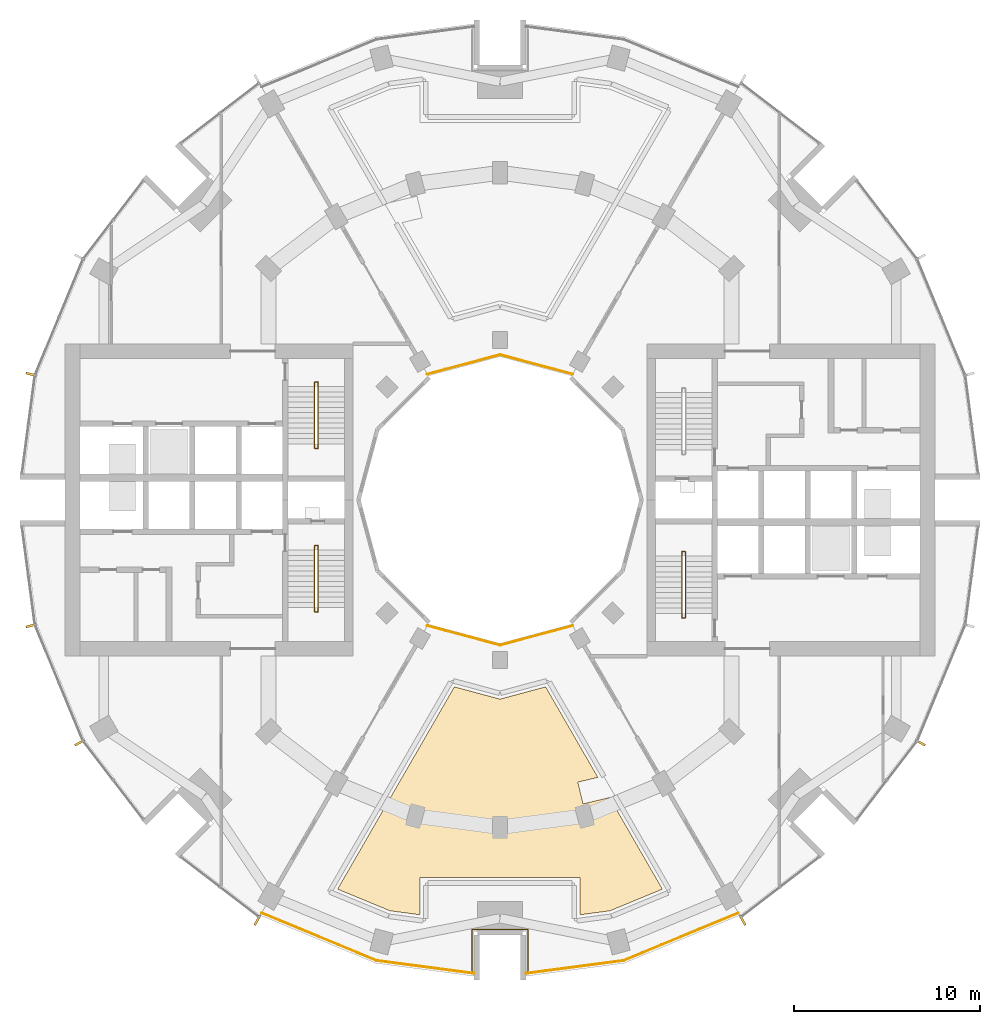
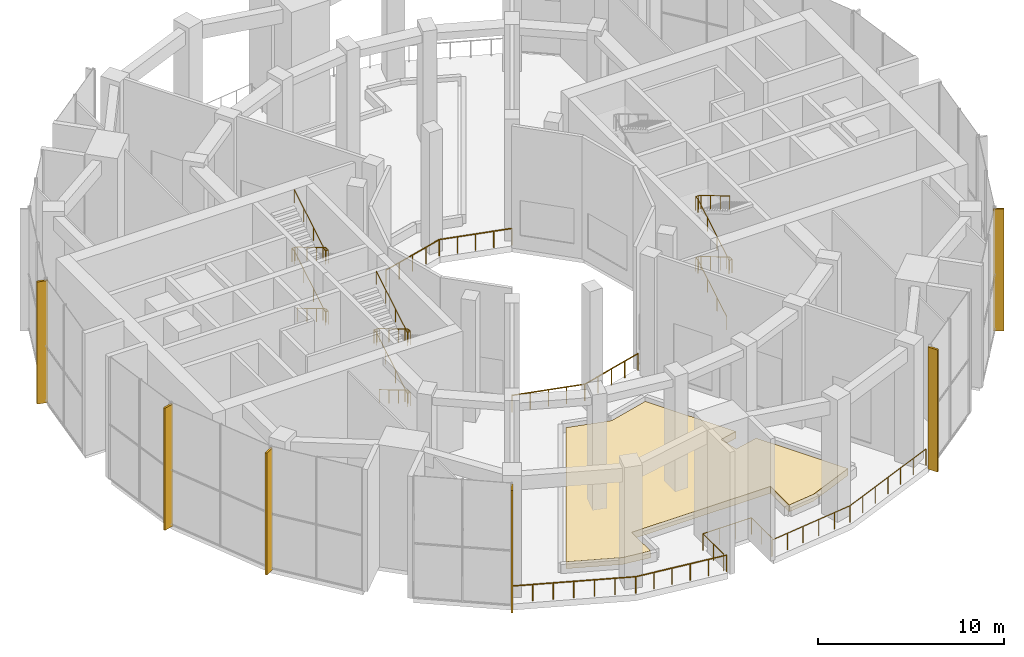
# One storey, part 16 of 18: 8 railings, 6 shading devices, 1 covering.
"""IFC4 building model written with IfcOpenShell, lengths in metres."""

import ifcopenshell
import ifcopenshell.guid

model = None  # the IFC model being written
_history = None  # IfcOwnerHistory: only IFC2X3 demands one
_inside = {}  # id of a spatial element -> (the spatial element, [elements in it])
_under = {}  # id of a project, library or spatial element -> (it, [spatial elements below it])
_declared = {}  # id of a project -> (the project, [libraries it declares])
_typed = {}  # id of a type object -> (the type object, [elements of that type])
_made_of = {}  # id of a material, layer set ... -> (it, [elements and type objects made of it])


def new_model(schema):
    """Start an empty IFC model of exactly this schema.

    Asked for "IFC4X3", IfcOpenShell would pick the latest addendum, in which some entities
    have other attributes; the version numbers below select the first issue.
    IFC2X3 requires an IfcOwnerHistory on every rooted entity: one is made here for all.
    """
    global model, _history
    if schema == "IFC4X3":
        model = ifcopenshell.file(schema_version=(4, 3, 0, 0))
    else:
        model = ifcopenshell.file(schema=schema)
    _inside.clear()
    _under.clear()
    _declared.clear()
    _typed.clear()
    _made_of.clear()
    _history = None
    if model.schema == "IFC2X3":
        org = make("IfcOrganization", Name="unknown")
        user = make(
            "IfcPersonAndOrganization",
            ThePerson=make("IfcPerson", FamilyName="unknown"),
            TheOrganization=org,
        )
        app = make(
            "IfcApplication",
            ApplicationDeveloper=org,
            Version="unknown",
            ApplicationFullName="unknown",
            ApplicationIdentifier="unknown",
        )
        _history = make(
            "IfcOwnerHistory",
            OwningUser=user,
            OwningApplication=app,
            ChangeAction="ADDED",
            CreationDate=0,
        )
    return model


def make(cls, **values):
    """One entity of the class cls with the attributes given. An attribute that is None is left unset."""
    return model.create_entity(
        cls, **{name: value for name, value in values.items() if value is not None}
    )


def rooted(cls, **values):
    """An entity with a GlobalId (a new one), such as an element, a storey or a relation."""
    return make(cls, GlobalId=ifcopenshell.guid.new(), OwnerHistory=_history, **values)


def si_unit(unit_type, name, prefix=None):
    """IfcSIUnit, for example si_unit("LENGTHUNIT", "METRE", prefix="MILLI")."""
    return make("IfcSIUnit", UnitType=unit_type, Prefix=prefix, Name=name)


def assignment(units):
    """IfcUnitAssignment: the units of a project."""
    return None if units is None else make("IfcUnitAssignment", Units=units)


def point(xyz):
    """IfcCartesianPoint."""
    return None if xyz is None else make("IfcCartesianPoint", Coordinates=xyz)


def direction(xyz):
    """IfcDirection."""
    return None if xyz is None else make("IfcDirection", DirectionRatios=xyz)


def frame(location, z_axis=None, x_axis=None):
    """IfcAxis2Placement3D, a coordinate frame: its origin and axes. An axis left out is left unset."""
    return make(
        "IfcAxis2Placement3D",
        Location=point(location),
        Axis=direction(z_axis),
        RefDirection=direction(x_axis),
    )


def frame_2d(location, x_axis=None):
    """IfcAxis2Placement2D, a coordinate frame in the plane: its origin and x axis."""
    return make(
        "IfcAxis2Placement2D", Location=point(location), RefDirection=direction(x_axis)
    )


def origin():
    """The frame at (0, 0, 0) with its axes left unset."""
    return frame((0.0, 0.0, 0.0))


def origin_2d():
    """The frame at (0, 0) in the plane with its x axis left unset."""
    return frame_2d((0.0, 0.0))


def place(relative_to, where):
    """IfcLocalPlacement: puts the frame where relative to a parent placement (None: the world)."""
    return make(
        "IfcLocalPlacement", PlacementRelTo=relative_to, RelativePlacement=where
    )


def context(
    kind, dimensions, precision=None, world=None, true_north=None, identifier=None
):
    """IfcGeometricRepresentationContext, for example the 3D "Model" context."""
    return make(
        "IfcGeometricRepresentationContext",
        ContextIdentifier=identifier,
        ContextType=kind,
        CoordinateSpaceDimension=dimensions,
        Precision=precision,
        WorldCoordinateSystem=world,
        TrueNorth=true_north,
    )


def subcontext(parent, identifier, kind, view, scale=None):
    """IfcGeometricRepresentationSubContext, for example "Body" below "Model"."""
    return make(
        "IfcGeometricRepresentationSubContext",
        ContextIdentifier=identifier,
        ContextType=kind,
        ParentContext=parent,
        TargetScale=scale,
        TargetView=view,
    )


def project(units=None, contexts=None):
    """IfcProject with its units and contexts."""
    return rooted(
        "IfcProject",
        Name="project",
        RepresentationContexts=contexts,
        UnitsInContext=assignment(units),
    )


def spatial(cls, under=None, at=None, **own):
    """A site, building, storey or space (cls), placed at a placement, below another one or the project."""
    s = rooted(cls, ObjectPlacement=at, **own)
    if under is not None:
        _under.setdefault(under.id(), (under, []))[1].append(s)
    return s


def polyline(points):
    """IfcPolyline through the points."""
    return make("IfcPolyline", Points=[point(p) for p in points])


def profile(cls, at=None, kind="AREA", **sizes):
    """A parametric profile (cls). Its sizes go by their IFC names, for example OverallWidth=200.0."""
    return make(cls, ProfileType=kind, Position=at, **sizes)


def rectangle(**sizes):
    """IfcRectangleProfileDef."""
    return profile("IfcRectangleProfileDef", **sizes)


def circle(**sizes):
    """IfcCircleProfileDef."""
    return profile("IfcCircleProfileDef", **sizes)


def outline(outer, holes=None, kind="AREA"):
    """IfcArbitraryClosedProfileDef: a profile drawn as a closed curve; with holes, ...WithVoids."""
    if holes is None:
        return make("IfcArbitraryClosedProfileDef", ProfileType=kind, OuterCurve=outer)
    return make(
        "IfcArbitraryProfileDefWithVoids",
        ProfileType=kind,
        OuterCurve=outer,
        InnerCurves=holes,
    )


def extrude(swept, where, along, depth):
    """IfcExtrudedAreaSolid: the profile swept, set in the frame where, extruded along a direction by depth."""
    return make(
        "IfcExtrudedAreaSolid",
        SweptArea=swept,
        Position=where,
        ExtrudedDirection=direction(along),
        Depth=depth,
    )


def shape(context_of_items, identifier, shape_type, items):
    """IfcShapeRepresentation: the items that make up one representation, for example the "Body"."""
    return make(
        "IfcShapeRepresentation",
        ContextOfItems=context_of_items,
        RepresentationIdentifier=identifier,
        RepresentationType=shape_type,
        Items=items,
    )


def material(Name=None, Category=None):
    """IfcMaterial."""
    return make("IfcMaterial", Name=Name, Category=Category)


def layer(
    of_material, thickness, ventilated=None, Name=None, Category=None, Priority=None
):
    """IfcMaterialLayer: one layer of a wall or slab, of a material (None: an air gap)."""
    return make(
        "IfcMaterialLayer",
        Material=of_material,
        LayerThickness=thickness,
        IsVentilated=ventilated,
        Name=Name,
        Category=Category,
        Priority=Priority,
    )


def layer_set(layers, Name=None):
    """IfcMaterialLayerSet."""
    return make("IfcMaterialLayerSet", MaterialLayers=layers, LayerSetName=Name)


def material_profile(
    of_material, cross_section, Name=None, Category=None, Priority=None
):
    """IfcMaterialProfile: a cross section and its material."""
    return make(
        "IfcMaterialProfile",
        Name=Name,
        Material=of_material,
        Profile=cross_section,
        Priority=Priority,
        Category=Category,
    )


def profile_set(profiles, Name=None, composite=None):
    """IfcMaterialProfileSet."""
    return make(
        "IfcMaterialProfileSet",
        Name=Name,
        MaterialProfiles=profiles,
        CompositeProfile=composite,
    )


def made_of(thing, what):
    """Note that an element or type object is made of a material, layer set ...; save() writes the relation."""
    if what is not None:
        _made_of.setdefault(what.id(), (what, []))[1].append(thing)
    return thing


def type_object(cls, material=None, **own):
    """A type object (cls), such as IfcWallType, which elements share."""
    return made_of(rooted(cls, **own), material)


def element(
    cls,
    number,
    at=None,
    inside=None,
    cuts=None,
    type_object=None,
    material=None,
    context=None,
    identifier="Body",
    shape_type=None,
    held_by="IfcProductDefinitionShape",
    body=None,
    shapes=None,
    **own,
):
    """One element of the class cls, such as IfcWall. Its Tag is "e" and its number.

    at: its placement. inside: the storey or other place that contains it. cuts: it is an
    opening in that element (IfcRelVoidsElement). A single representation is given by context,
    identifier, shape_type and body (its items); several are given by shapes. held_by: the class
    of the entity that holds the representations. save() writes the other relations.
    """
    e = rooted(cls, Tag="e%d" % number, ObjectPlacement=at, **own)
    if body is not None:
        shapes = [shape(context, identifier, shape_type, body)]
    if shapes is not None:
        e.Representation = make(held_by, Representations=shapes)
    if inside is not None:
        _inside.setdefault(inside.id(), (inside, []))[1].append(e)
    if cuts is not None:
        rooted(
            "IfcRelVoidsElement", RelatingBuildingElement=cuts, RelatedOpeningElement=e
        )
    if type_object is not None:
        _typed.setdefault(type_object.id(), (type_object, []))[1].append(e)
    return made_of(e, material)


def aggregate(whole, parts):
    """IfcRelAggregates: a whole, such as a stair, and the parts it consists of."""
    return rooted("IfcRelAggregates", RelatingObject=whole, RelatedObjects=parts)


def save(model, path):
    """Write the relations noted so far, then the file.

    IfcRelAggregates (storeys below a building ...), IfcRelContainedInSpatialStructure (elements
    in a storey), IfcRelDefinesByType, IfcRelAssociatesMaterial and IfcRelDeclares: one each for
    every whole, place, type object, material and project.
    """
    for whole, parts in _under.values():
        aggregate(whole, parts)
    for where, things in _inside.values():
        rooted(
            "IfcRelContainedInSpatialStructure",
            RelatedElements=things,
            RelatingStructure=where,
        )
    for kind, things in _typed.values():
        rooted("IfcRelDefinesByType", RelatedObjects=things, RelatingType=kind)
    for what, things in _made_of.values():
        rooted("IfcRelAssociatesMaterial", RelatedObjects=things, RelatingMaterial=what)
    for by, libraries in _declared.values():
        rooted("IfcRelDeclares", RelatingContext=by, RelatedDefinitions=libraries)
    model.write(path)


model = new_model("IFC4")

# Units and contexts
model_context = context("Model", 3, precision=1e-05, world=origin(), true_north=direction((0.0, 1.0)))
body_context = subcontext(model_context, "Body", "Model", "MODEL_VIEW")
ifc_project = project(units=[si_unit("LENGTHUNIT", "METRE"), si_unit("AREAUNIT", "SQUARE_METRE"), si_unit("VOLUMEUNIT", "CUBIC_METRE"), si_unit("PLANEANGLEUNIT", "RADIAN"), si_unit("MASSUNIT", "GRAM", prefix="KILO")], contexts=[model_context])

# Site, building, storey
site_placement = place(None, origin())
site = spatial("IfcSite", under=ifc_project, at=site_placement, CompositionType="ELEMENT")
building_placement = place(site_placement, origin())
building = spatial("IfcBuilding", under=site, at=building_placement, Name="Torre Brocal", CompositionType="ELEMENT")
storey_placement = place(building_placement, frame((0.0, 0.0, 74.39990234375)))
storey = spatial("IfcBuildingStorey", under=building, at=storey_placement, Name="L17", CompositionType="ELEMENT", Elevation=74.39990234375)

# Shading devices
ifc_material_1 = material(Name="Aluminium, black anodised", Category="aluminium")
ifc_material_profile = material_profile(ifc_material_1, rectangle(XDim=0.1201171875, YDim=0.60009765625, at=origin_2d()), Name="FIN 120X600 8000 HIGH")
ifc_profile_set = profile_set([ifc_material_profile], Name="Aluminium, black anodised")
shading_device_type = type_object("IfcShadingDeviceType", Name="FIN 120X600 8000 HIGH", PredefinedType="USERDEFINED", material=ifc_profile_set)
for number, where, z_axis, x_axis, name in (
    (1, (54.791015625, 81.754638671875, -0.14990234375), (0.0, 0.0, 1.0), (-0.258819045103, -0.965925826289, 0.0), "FIN"),
    (2, (54.791015625, 68.245361328125, -0.14990234375), (0.0, 0.0, 1.0), (0.258819045103, -0.965925826289, 0.0), "FIN"),
    (3, (57.398193359375, 61.950927734375, -0.14990234375), (0.0, 0.0, 1.0), (0.5, -0.866025403784, 0.0), "FIN"),
    (4, (66.950927734375, 52.398193359375, -0.14990234375), (0.0, 0.0, 1.0), (0.866025403784, -0.5, 0.0), "FIN"),
    (5, (93.049072265625, 52.398193359375, -0.14990234375), (0.0, 0.0, 1.0), (0.866025403784, 0.5, 0.0), "FIN"),
    (6, (102.601806640625, 61.950927734375, -0.14990234375), (0.0, 0.0, 1.0), (0.5, 0.866025403784, 0.0), "FIN"),
):
    element("IfcShadingDevice", number, at=place(storey_placement, frame(where, z_axis=z_axis, x_axis=x_axis)), inside=storey, type_object=shading_device_type, Name=name, ObjectType="FIN", PredefinedType="USERDEFINED", context=body_context, shape_type="SweptSolid", body=[
        extrude(rectangle(XDim=0.1201171875, YDim=0.60009765625, at=origin_2d()), origin(), (0.0, 0.0, 1.0), 8.0),
    ])

# Railings
ifc_material_2 = material(Name="Laminated glass", Category="glass")
railing_type_1 = type_object("IfcRailingType", Name="GLASS BALUSTRADE 1100", PredefinedType="BALUSTRADE", material=ifc_material_2)
railing_1_placement = place(storey_placement, frame((83.9052734375, 81.76416015625, 0.0)))
element("IfcRailing", 7, at=railing_1_placement, inside=storey, type_object=railing_type_1, Name="GLASS BALUSTRADE", PredefinedType="BALUSTRADE", context=body_context, shape_type="SweptSolid", body=[
    extrude(circle(Radius=0.02392578125, at=origin_2d()), frame((0.0, 0.0, 1.076171875), z_axis=(-0.965927566611, 0.258812550044, 0.0), x_axis=(-0.258812550044, -0.965927566611, 0.0)), (0.0, 0.0, 1.0), 4.04296875),
    extrude(circle(Radius=0.02392578125, at=origin_2d()), frame((-3.9052734375, 1.04638671875, 1.076171875), z_axis=(-0.965927566611, -0.258812550044, 0.0), x_axis=(0.258812550044, -0.965927566611, 0.0)), (0.0, 0.0, 1.0), 4.04296875),
    extrude(circle(Radius=0.02099609375, at=origin_2d()), origin(), (0.0, 0.0, 1.0), 1.052001953125),
    extrude(circle(Radius=0.02099609375, at=origin_2d()), frame((-0.976318359375, 0.26171875, 0.0)), (0.0, 0.0, 1.0), 1.052001953125),
    extrude(circle(Radius=0.02099609375, at=origin_2d()), frame((-1.95263671875, 0.523193359375, 0.0)), (0.0, 0.0, 1.0), 1.052001953125),
    extrude(circle(Radius=0.02099609375, at=origin_2d()), frame((-2.928955078125, 0.78466796875, 0.0)), (0.0, 0.0, 1.0), 1.052001953125),
    extrude(circle(Radius=0.02099609375, at=origin_2d()), frame((-3.9052734375, 1.04638671875, 0.0)), (0.0, 0.0, 1.0), 1.052001953125),
    extrude(circle(Radius=0.02099609375, at=origin_2d()), frame((-4.881591796875, 0.78466796875, 0.0)), (0.0, 0.0, 1.0), 1.052001953125),
    extrude(circle(Radius=0.02099609375, at=origin_2d()), frame((-5.85791015625, 0.523193359375, 0.0)), (0.0, 0.0, 1.0), 1.052001953125),
    extrude(circle(Radius=0.02099609375, at=origin_2d()), frame((-6.834228515625, 0.26171875, 0.0)), (0.0, 0.0, 1.0), 1.052001953125),
    extrude(circle(Radius=0.02099609375, at=origin_2d()), frame((-7.810546875, 0.0, 0.0)), (0.0, 0.0, 1.0), 1.052001953125),
])
railing_2_placement = place(storey_placement, frame((76.0947265625, 68.23583984375, 0.0)))
element("IfcRailing", 8, at=railing_2_placement, inside=storey, type_object=railing_type_1, Name="GLASS BALUSTRADE", PredefinedType="BALUSTRADE", context=body_context, shape_type="SweptSolid", body=[
    extrude(circle(Radius=0.02392578125, at=origin_2d()), frame((0.0, 0.0, 1.076171875), z_axis=(0.965927566611, -0.258812550044, 0.0), x_axis=(0.258812550044, 0.965927566611, 0.0)), (0.0, 0.0, 1.0), 4.04296875),
    extrude(circle(Radius=0.02392578125, at=origin_2d()), frame((3.9052734375, -1.04638671875, 1.076171875), z_axis=(0.965927566611, 0.258812550044, 0.0), x_axis=(-0.258812550044, 0.965927566611, 0.0)), (0.0, 0.0, 1.0), 4.04296875),
    extrude(circle(Radius=0.02099609375, at=origin_2d()), origin(), (0.0, 0.0, 1.0), 1.052001953125),
    extrude(circle(Radius=0.02099609375, at=origin_2d()), frame((0.976318359375, -0.26171875, 0.0)), (0.0, 0.0, 1.0), 1.052001953125),
    extrude(circle(Radius=0.02099609375, at=origin_2d()), frame((1.95263671875, -0.523193359375, 0.0)), (0.0, 0.0, 1.0), 1.052001953125),
    extrude(circle(Radius=0.02099609375, at=origin_2d()), frame((2.928955078125, -0.78466796875, 0.0)), (0.0, 0.0, 1.0), 1.052001953125),
    extrude(circle(Radius=0.02099609375, at=origin_2d()), frame((3.9052734375, -1.04638671875, 0.0)), (0.0, 0.0, 1.0), 1.052001953125),
    extrude(circle(Radius=0.02099609375, at=origin_2d()), frame((4.881591796875, -0.78466796875, 0.0)), (0.0, 0.0, 1.0), 1.052001953125),
    extrude(circle(Radius=0.02099609375, at=origin_2d()), frame((5.85791015625, -0.523193359375, 0.0)), (0.0, 0.0, 1.0), 1.052001953125),
    extrude(circle(Radius=0.02099609375, at=origin_2d()), frame((6.834228515625, -0.26171875, 0.0)), (0.0, 0.0, 1.0), 1.052001953125),
    extrude(circle(Radius=0.02099609375, at=origin_2d()), frame((7.810546875, 0.0, 0.0)), (0.0, 0.0, 1.0), 1.052001953125),
])
railing_3_placement = place(storey_placement, frame((67.176513671875, 52.7890625, 0.0)))
element("IfcRailing", 9, at=railing_3_placement, inside=storey, type_object=railing_type_1, Name="GLASS BALUSTRADE", PredefinedType="BALUSTRADE", context=body_context, shape_type="SweptSolid", body=[
    extrude(circle(Radius=0.02392578125, at=origin_2d()), frame((0.0, 0.0, 1.076171875), z_axis=(0.923873277269, -0.382698533507, 0.0), x_axis=(0.382698533507, 0.923873277269, 0.0)), (0.0, 0.0, 1.0), 6.6953125),
    extrude(circle(Radius=0.02392578125, at=origin_2d()), frame((6.185546875, -2.562255859375, 1.076171875), z_axis=(0.991448474977, -0.130498741241, 0.0), x_axis=(0.130498741241, 0.991448474977, 0.0)), (0.0, 0.0, 1.0), 5.283203125),
    extrude(circle(Radius=0.02099609375, at=origin_2d()), origin(), (0.0, 0.0, 1.0), 1.052001953125),
    extrude(circle(Radius=0.02099609375, at=origin_2d()), frame((1.031005859375, -0.427001953125, 0.0)), (0.0, 0.0, 1.0), 1.052001953125),
    extrude(circle(Radius=0.02099609375, at=origin_2d()), frame((2.061767578125, -0.85400390625, 0.0)), (0.0, 0.0, 1.0), 1.052001953125),
    extrude(circle(Radius=0.02099609375, at=origin_2d()), frame((3.0927734375, -1.28125, 0.0)), (0.0, 0.0, 1.0), 1.052001953125),
    extrude(circle(Radius=0.02099609375, at=origin_2d()), frame((4.123779296875, -1.708251953125, 0.0)), (0.0, 0.0, 1.0), 1.052001953125),
    extrude(circle(Radius=0.02099609375, at=origin_2d()), frame((5.154541015625, -2.13525390625, 0.0)), (0.0, 0.0, 1.0), 1.052001953125),
    extrude(circle(Radius=0.02099609375, at=origin_2d()), frame((6.185546875, -2.562255859375, 0.0)), (0.0, 0.0, 1.0), 1.052001953125),
    extrude(circle(Radius=0.02099609375, at=origin_2d()), frame((7.233154296875, -2.7001953125, 0.0)), (0.0, 0.0, 1.0), 1.052001953125),
    extrude(circle(Radius=0.02099609375, at=origin_2d()), frame((8.28076171875, -2.838134765625, 0.0)), (0.0, 0.0, 1.0), 1.052001953125),
    extrude(circle(Radius=0.02099609375, at=origin_2d()), frame((9.328369140625, -2.975830078125, 0.0)), (0.0, 0.0, 1.0), 1.052001953125),
    extrude(circle(Radius=0.02099609375, at=origin_2d()), frame((10.3759765625, -3.11376953125, 0.0)), (0.0, 0.0, 1.0), 1.052001953125),
    extrude(circle(Radius=0.02099609375, at=origin_2d()), frame((11.423583984375, -3.251708984375, 0.0)), (0.0, 0.0, 1.0), 1.052001953125),
])
railing_4_placement = place(storey_placement, frame((81.39990234375, 49.537353515625, 0.0)))
element("IfcRailing", 10, at=railing_4_placement, inside=storey, type_object=railing_type_1, Name="GLASS BALUSTRADE", PredefinedType="BALUSTRADE", context=body_context, shape_type="SweptSolid", body=[
    extrude(circle(Radius=0.02392578125, at=origin_2d()), frame((0.0, 0.0, 1.076171875), z_axis=(0.991448474977, 0.130498741241, 0.0), x_axis=(-0.130498741241, 0.991448474977, 0.0)), (0.0, 0.0, 1.0), 5.283203125),
    extrude(circle(Radius=0.02392578125, at=origin_2d()), frame((5.238037109375, 0.689453125, 1.076171875), z_axis=(0.923873277269, 0.382698533507, 0.0), x_axis=(-0.382698533507, 0.923873277269, 0.0)), (0.0, 0.0, 1.0), 6.6953125),
    extrude(circle(Radius=0.02099609375, at=origin_2d()), origin(), (0.0, 0.0, 1.0), 1.052001953125),
    extrude(circle(Radius=0.02099609375, at=origin_2d()), frame((1.047607421875, 0.137939453125, 0.0)), (0.0, 0.0, 1.0), 1.052001953125),
    extrude(circle(Radius=0.02099609375, at=origin_2d()), frame((2.09521484375, 0.27587890625, 0.0)), (0.0, 0.0, 1.0), 1.052001953125),
    extrude(circle(Radius=0.02099609375, at=origin_2d()), frame((3.142822265625, 0.41357421875, 0.0)), (0.0, 0.0, 1.0), 1.052001953125),
    extrude(circle(Radius=0.02099609375, at=origin_2d()), frame((4.1904296875, 0.551513671875, 0.0)), (0.0, 0.0, 1.0), 1.052001953125),
    extrude(circle(Radius=0.02099609375, at=origin_2d()), frame((5.238037109375, 0.689453125, 0.0)), (0.0, 0.0, 1.0), 1.052001953125),
    extrude(circle(Radius=0.02099609375, at=origin_2d()), frame((6.26904296875, 1.116455078125, 0.0)), (0.0, 0.0, 1.0), 1.052001953125),
    extrude(circle(Radius=0.02099609375, at=origin_2d()), frame((7.2998046875, 1.54345703125, 0.0)), (0.0, 0.0, 1.0), 1.052001953125),
    extrude(circle(Radius=0.02099609375, at=origin_2d()), frame((8.330810546875, 1.970703125, 0.0)), (0.0, 0.0, 1.0), 1.052001953125),
    extrude(circle(Radius=0.02099609375, at=origin_2d()), frame((9.36181640625, 2.397705078125, 0.0)), (0.0, 0.0, 1.0), 1.052001953125),
    extrude(circle(Radius=0.02099609375, at=origin_2d()), frame((10.392578125, 2.82470703125, 0.0)), (0.0, 0.0, 1.0), 1.052001953125),
    extrude(circle(Radius=0.02099609375, at=origin_2d()), frame((11.423583984375, 3.251708984375, 0.0)), (0.0, 0.0, 1.0), 1.052001953125),
])
ifc_material_3 = material(Name="Steel A36", Category="steel")
railing_type_2 = type_object("IfcRailingType", Name="GUARD 1100", PredefinedType="GUARDRAIL", material=ifc_material_3)
railing_5_placement = place(storey_placement, frame((81.5, 49.671630859375, 0.0)))
element("IfcRailing", 11, at=railing_5_placement, inside=storey, type_object=railing_type_2, Name="GUARD", PredefinedType="GUARDRAIL", context=body_context, shape_type="SweptSolid", body=[
    extrude(circle(Radius=0.02392578125, at=origin_2d()), frame((0.0, 0.0, 1.076171875), z_axis=(0.0, 1.0, 0.0), x_axis=(-1.0, 0.0, 0.0)), (0.0, 0.0, 1.0), 2.228271484375),
    extrude(circle(Radius=0.02392578125, at=origin_2d()), frame((0.0, 2.228271484375, 1.076171875), z_axis=(-1.0, 0.0, 0.0), x_axis=(0.0, -1.0, 0.0)), (0.0, 0.0, 1.0), 3.0),
    extrude(circle(Radius=0.02392578125, at=origin_2d()), frame((-3.0, 2.228271484375, 1.076171875), z_axis=(0.0, -1.0, 0.0), x_axis=(1.0, 0.0, 0.0)), (0.0, 0.0, 1.0), 2.228271484375),
    extrude(circle(Radius=0.02099609375, at=origin_2d()), origin(), (0.0, 0.0, 1.0), 1.052001953125),
    extrude(circle(Radius=0.02099609375, at=origin_2d()), frame((0.0, 1.1142578125, 0.0)), (0.0, 0.0, 1.0), 1.052001953125),
    extrude(circle(Radius=0.02099609375, at=origin_2d()), frame((0.0, 2.228271484375, 0.0)), (0.0, 0.0, 1.0), 1.052001953125),
    extrude(circle(Radius=0.02099609375, at=origin_2d()), frame((-1.0, 2.228271484375, 0.0)), (0.0, 0.0, 1.0), 1.052001953125),
    extrude(circle(Radius=0.02099609375, at=origin_2d()), frame((-2.0, 2.228271484375, 0.0)), (0.0, 0.0, 1.0), 1.052001953125),
    extrude(circle(Radius=0.02099609375, at=origin_2d()), frame((-3.0, 2.228271484375, 0.0)), (0.0, 0.0, 1.0), 1.052001953125),
    extrude(circle(Radius=0.02099609375, at=origin_2d()), frame((-3.0, 1.1142578125, 0.0)), (0.0, 0.0, 1.0), 1.052001953125),
    extrude(circle(Radius=0.02099609375, at=origin_2d()), frame((-3.0, 0.0, 0.0)), (0.0, 0.0, 1.0), 1.052001953125),
])

# Covering
ifc_material_4 = material(Name="Planting soil")
ifc_layer = layer(ifc_material_4, 0.449951171875)
ifc_layer_set = layer_set([ifc_layer], Name="Planting soil")
covering_type = type_object("IfcCoveringType", Name="PLANTING SOIL 450", PredefinedType="FLOORING", material=ifc_layer_set)
covering_placement = place(storey_placement, origin())
element("IfcCovering", 12, at=covering_placement, inside=storey, type_object=covering_type, Name="PLANTING SOIL", PredefinedType="FLOORING", context=body_context, shape_type="SweptSolid", body=[
    extrude(outline(polyline([(74.080078125, 52.90625), (71.265625, 54.07177734375), (77.54541015625, 64.948486328125), (80.0, 64.29052734375), (82.45458984375, 64.948486328125), (85.2646484375, 60.08154296875), (84.186767578125, 59.825439453125), (84.46435546875, 58.657958984375), (85.890625, 58.996826171875), (88.734375, 54.07177734375), (85.919921875, 52.90625), (84.300048828125, 52.69287109375), (84.300048828125, 54.699951171875), (75.699951171875, 54.699951171875), (75.699951171875, 52.69287109375), (74.080078125, 52.90625)])), origin(), (0.0, 0.0, 1.0), 0.4501953125),
])

# Railings
ifc_material_5 = material(Name="Stainless steel AISI 316", Category="steel")
railing_type_3 = type_object("IfcRailingType", Name="STAIR HANDRAIL", PredefinedType="HANDRAIL", material=ifc_material_5)
railing_6_placement = place(storey_placement, frame((89.780029296875, 68.89990234375, 0.166748046875)))
element("IfcRailing", 13, at=railing_6_placement, inside=storey, type_object=railing_type_3, Name="HANDRAIL ST2", PredefinedType="HANDRAIL", context=body_context, shape_type="SweptSolid", body=[
    extrude(circle(Radius=0.02392578125, at=origin_2d()), frame((0.0, 0.0, 0.8759765625), z_axis=(0.0, 0.859308565015, 0.511457515432), x_axis=(-1.0, 0.0, 0.0)), (0.0, 0.0, 1.0), 3.58447265625),
    extrude(circle(Radius=0.02392578125, at=origin_2d()), frame((0.0, 3.080078125, 2.708984375), z_axis=(0.0, 1.0, 0.0), x_axis=(-1.0, 0.0, 0.0)), (0.0, 0.0, 1.0), 0.25),
    extrude(circle(Radius=0.02392578125, at=origin_2d()), frame((0.0, 3.330078125, 2.708984375), z_axis=(1.0, 0.0, 0.0), x_axis=(0.0, 1.0, 0.0)), (0.0, 0.0, 1.0), 0.18994140625),
    extrude(circle(Radius=0.02392578125, at=origin_2d()), frame((0.18994140625, 3.330078125, 2.708984375), z_axis=(0.0, -0.831925284441, 0.554887665306), x_axis=(1.0, 0.0, 0.0)), (0.0, 0.0, 1.0), 0.300537109375),
    extrude(circle(Radius=0.02392578125, at=origin_2d()), frame((0.18994140625, 3.080078125, 2.8759765625), z_axis=(0.0, -0.859308565015, 0.511457515432), x_axis=(1.0, 0.0, 0.0)), (0.0, 0.0, 1.0), 3.58447265625),
    extrude(circle(Radius=0.02392578125, at=origin_2d()), frame((0.18994140625, 0.0, 4.708984375), z_axis=(0.0, -1.0, 0.0), x_axis=(1.0, 0.0, 0.0)), (0.0, 0.0, 1.0), 0.25),
    extrude(circle(Radius=0.02392578125, at=origin_2d()), frame((0.18994140625, -0.25, 4.708984375), z_axis=(-1.0, 0.0, 0.0), x_axis=(0.0, -1.0, 0.0)), (0.0, 0.0, 1.0), 0.18994140625),
    extrude(circle(Radius=0.02392578125, at=origin_2d()), frame((0.0, -0.25, 4.708984375), z_axis=(0.0, 0.831925284441, 0.554887665306), x_axis=(-1.0, 0.0, 0.0)), (0.0, 0.0, 1.0), 0.300537109375),
    extrude(circle(Radius=0.02392578125, at=origin_2d()), frame((0.0, 0.0, 4.8759765625), z_axis=(0.0, 0.859308565015, 0.511457515432), x_axis=(-1.0, 0.0, 0.0)), (0.0, 0.0, 1.0), 3.58447265625),
    extrude(circle(Radius=0.02392578125, at=origin_2d()), frame((0.0, 3.080078125, 6.708984375), z_axis=(0.0, 1.0, 0.0), x_axis=(-1.0, 0.0, 0.0)), (0.0, 0.0, 1.0), 0.25),
    extrude(circle(Radius=0.02392578125, at=origin_2d()), frame((0.0, 3.330078125, 6.708984375), z_axis=(1.0, 0.0, 0.0), x_axis=(0.0, 1.0, 0.0)), (0.0, 0.0, 1.0), 0.18994140625),
    extrude(circle(Radius=0.02392578125, at=origin_2d()), frame((0.18994140625, 3.330078125, 6.708984375), z_axis=(0.0, -0.831925284441, 0.554887665306), x_axis=(1.0, 0.0, 0.0)), (0.0, 0.0, 1.0), 0.300537109375),
    extrude(circle(Radius=0.02392578125, at=origin_2d()), frame((0.18994140625, 3.080078125, 6.8759765625), z_axis=(0.0, -0.859308565015, 0.511457515432), x_axis=(1.0, 0.0, 0.0)), (0.0, 0.0, 1.0), 3.58447265625),
    extrude(circle(Radius=0.02099609375, at=origin_2d()), origin(), (0.0, 0.0, 1.0), 0.851806640625),
    extrude(circle(Radius=0.02099609375, at=origin_2d()), frame((0.0, 1.026611328125, 0.611083984375)), (0.0, 0.0, 1.0), 0.851806640625),
    extrude(circle(Radius=0.02099609375, at=origin_2d()), frame((0.0, 2.053466796875, 1.22216796875)), (0.0, 0.0, 1.0), 0.851806640625),
    extrude(circle(Radius=0.02099609375, at=origin_2d()), frame((0.0, 3.080078125, 1.833251953125)), (0.0, 0.0, 1.0), 0.851806640625),
    extrude(circle(Radius=0.02099609375, at=origin_2d()), frame((0.0, 3.330078125, 1.833251953125)), (0.0, 0.0, 1.0), 0.851806640625),
    extrude(circle(Radius=0.02099609375, at=origin_2d()), frame((0.18994140625, 3.330078125, 1.833251953125)), (0.0, 0.0, 1.0), 0.851806640625),
    extrude(circle(Radius=0.02099609375, at=origin_2d()), frame((0.18994140625, 3.080078125, 2.0)), (0.0, 0.0, 1.0), 0.851806640625),
    extrude(circle(Radius=0.02099609375, at=origin_2d()), frame((0.18994140625, 2.053466796875, 2.611083984375)), (0.0, 0.0, 1.0), 0.851806640625),
    extrude(circle(Radius=0.02099609375, at=origin_2d()), frame((0.18994140625, 1.026611328125, 3.22216796875)), (0.0, 0.0, 1.0), 0.851806640625),
    extrude(circle(Radius=0.02099609375, at=origin_2d()), frame((0.18994140625, 0.0, 3.833251953125)), (0.0, 0.0, 1.0), 0.851806640625),
    extrude(circle(Radius=0.02099609375, at=origin_2d()), frame((0.18994140625, -0.25, 3.833251953125)), (0.0, 0.0, 1.0), 0.851806640625),
    extrude(circle(Radius=0.02099609375, at=origin_2d()), frame((0.0, -0.25, 3.833251953125)), (0.0, 0.0, 1.0), 0.851806640625),
    extrude(circle(Radius=0.02099609375, at=origin_2d()), frame((0.0, 0.0, 4.0)), (0.0, 0.0, 1.0), 0.851806640625),
    extrude(circle(Radius=0.02099609375, at=origin_2d()), frame((0.0, 1.026611328125, 4.611083984375)), (0.0, 0.0, 1.0), 0.851806640625),
    extrude(circle(Radius=0.02099609375, at=origin_2d()), frame((0.0, 2.053466796875, 5.22216796875)), (0.0, 0.0, 1.0), 0.851806640625),
    extrude(circle(Radius=0.02099609375, at=origin_2d()), frame((0.0, 3.080078125, 5.833251953125)), (0.0, 0.0, 1.0), 0.851806640625),
    extrude(circle(Radius=0.02099609375, at=origin_2d()), frame((0.0, 3.330078125, 5.833251953125)), (0.0, 0.0, 1.0), 0.851806640625),
    extrude(circle(Radius=0.02099609375, at=origin_2d()), frame((0.18994140625, 3.330078125, 5.833251953125)), (0.0, 0.0, 1.0), 0.851806640625),
    extrude(circle(Radius=0.02099609375, at=origin_2d()), frame((0.18994140625, 3.080078125, 6.0)), (0.0, 0.0, 1.0), 0.851806640625),
    extrude(circle(Radius=0.02099609375, at=origin_2d()), frame((0.18994140625, 2.053466796875, 6.611083984375)), (0.0, 0.0, 1.0), 0.851806640625),
    extrude(circle(Radius=0.02099609375, at=origin_2d()), frame((0.18994140625, 1.026611328125, 7.22216796875)), (0.0, 0.0, 1.0), 0.851806640625),
    extrude(circle(Radius=0.02099609375, at=origin_2d()), frame((0.18994140625, 0.0, 7.833251953125)), (0.0, 0.0, 1.0), 0.851806640625),
])
railing_7_placement = place(storey_placement, frame((70.219970703125, 72.300048828125, 0.166748046875)))
element("IfcRailing", 14, at=railing_7_placement, inside=storey, type_object=railing_type_3, Name="HANDRAIL ST3", PredefinedType="HANDRAIL", context=body_context, shape_type="SweptSolid", body=[
    extrude(circle(Radius=0.02392578125, at=origin_2d()), frame((0.0, 0.0, 0.8759765625), z_axis=(0.0, -0.859308565015, 0.511457515432), x_axis=(1.0, 0.0, 0.0)), (0.0, 0.0, 1.0), 3.58447265625),
    extrude(circle(Radius=0.02392578125, at=origin_2d()), frame((0.0, -3.080078125, 2.708984375), z_axis=(0.0, -1.0, 0.0), x_axis=(1.0, 0.0, 0.0)), (0.0, 0.0, 1.0), 0.25),
    extrude(circle(Radius=0.02392578125, at=origin_2d()), frame((0.0, -3.330078125, 2.708984375), z_axis=(-1.0, 0.0, 0.0), x_axis=(0.0, -1.0, 0.0)), (0.0, 0.0, 1.0), 0.18994140625),
    extrude(circle(Radius=0.02392578125, at=origin_2d()), frame((-0.18994140625, -3.330078125, 2.708984375), z_axis=(0.0, 0.831925284441, 0.554887665306), x_axis=(-1.0, 0.0, 0.0)), (0.0, 0.0, 1.0), 0.300537109375),
    extrude(circle(Radius=0.02392578125, at=origin_2d()), frame((-0.18994140625, -3.080078125, 2.8759765625), z_axis=(0.0, 0.859308565015, 0.511457515432), x_axis=(-1.0, 0.0, 0.0)), (0.0, 0.0, 1.0), 3.58447265625),
    extrude(circle(Radius=0.02392578125, at=origin_2d()), frame((-0.18994140625, 0.0, 4.708984375), z_axis=(0.0, 1.0, 0.0), x_axis=(-1.0, 0.0, 0.0)), (0.0, 0.0, 1.0), 0.25),
    extrude(circle(Radius=0.02392578125, at=origin_2d()), frame((-0.18994140625, 0.25, 4.708984375), z_axis=(1.0, 0.0, 0.0), x_axis=(0.0, 1.0, 0.0)), (0.0, 0.0, 1.0), 0.18994140625),
    extrude(circle(Radius=0.02392578125, at=origin_2d()), frame((0.0, 0.25, 4.708984375), z_axis=(0.0, -0.831925284441, 0.554887665306), x_axis=(1.0, 0.0, 0.0)), (0.0, 0.0, 1.0), 0.300537109375),
    extrude(circle(Radius=0.02392578125, at=origin_2d()), frame((0.0, 0.0, 4.8759765625), z_axis=(0.0, -0.859308565015, 0.511457515432), x_axis=(1.0, 0.0, 0.0)), (0.0, 0.0, 1.0), 3.58447265625),
    extrude(circle(Radius=0.02392578125, at=origin_2d()), frame((0.0, -3.080078125, 6.708984375), z_axis=(0.0, -1.0, 0.0), x_axis=(1.0, 0.0, 0.0)), (0.0, 0.0, 1.0), 0.25),
    extrude(circle(Radius=0.02392578125, at=origin_2d()), frame((0.0, -3.330078125, 6.708984375), z_axis=(-1.0, 0.0, 0.0), x_axis=(0.0, -1.0, 0.0)), (0.0, 0.0, 1.0), 0.18994140625),
    extrude(circle(Radius=0.02392578125, at=origin_2d()), frame((-0.18994140625, -3.330078125, 6.708984375), z_axis=(0.0, 0.831925284441, 0.554887665306), x_axis=(-1.0, 0.0, 0.0)), (0.0, 0.0, 1.0), 0.300537109375),
    extrude(circle(Radius=0.02392578125, at=origin_2d()), frame((-0.18994140625, -3.080078125, 6.8759765625), z_axis=(0.0, 0.859308565015, 0.511457515432), x_axis=(-1.0, 0.0, 0.0)), (0.0, 0.0, 1.0), 3.58447265625),
    extrude(circle(Radius=0.02099609375, at=origin_2d()), origin(), (0.0, 0.0, 1.0), 0.851806640625),
    extrude(circle(Radius=0.02099609375, at=origin_2d()), frame((0.0, -1.026611328125, 0.611083984375)), (0.0, 0.0, 1.0), 0.851806640625),
    extrude(circle(Radius=0.02099609375, at=origin_2d()), frame((0.0, -2.053466796875, 1.22216796875)), (0.0, 0.0, 1.0), 0.851806640625),
    extrude(circle(Radius=0.02099609375, at=origin_2d()), frame((0.0, -3.080078125, 1.833251953125)), (0.0, 0.0, 1.0), 0.851806640625),
    extrude(circle(Radius=0.02099609375, at=origin_2d()), frame((0.0, -3.330078125, 1.833251953125)), (0.0, 0.0, 1.0), 0.851806640625),
    extrude(circle(Radius=0.02099609375, at=origin_2d()), frame((-0.18994140625, -3.330078125, 1.833251953125)), (0.0, 0.0, 1.0), 0.851806640625),
    extrude(circle(Radius=0.02099609375, at=origin_2d()), frame((-0.18994140625, -3.080078125, 2.0)), (0.0, 0.0, 1.0), 0.851806640625),
    extrude(circle(Radius=0.02099609375, at=origin_2d()), frame((-0.18994140625, -2.053466796875, 2.611083984375)), (0.0, 0.0, 1.0), 0.851806640625),
    extrude(circle(Radius=0.02099609375, at=origin_2d()), frame((-0.18994140625, -1.026611328125, 3.22216796875)), (0.0, 0.0, 1.0), 0.851806640625),
    extrude(circle(Radius=0.02099609375, at=origin_2d()), frame((-0.18994140625, 0.0, 3.833251953125)), (0.0, 0.0, 1.0), 0.851806640625),
    extrude(circle(Radius=0.02099609375, at=origin_2d()), frame((-0.18994140625, 0.25, 3.833251953125)), (0.0, 0.0, 1.0), 0.851806640625),
    extrude(circle(Radius=0.02099609375, at=origin_2d()), frame((0.0, 0.25, 3.833251953125)), (0.0, 0.0, 1.0), 0.851806640625),
    extrude(circle(Radius=0.02099609375, at=origin_2d()), frame((0.0, 0.0, 4.0)), (0.0, 0.0, 1.0), 0.851806640625),
    extrude(circle(Radius=0.02099609375, at=origin_2d()), frame((0.0, -1.026611328125, 4.611083984375)), (0.0, 0.0, 1.0), 0.851806640625),
    extrude(circle(Radius=0.02099609375, at=origin_2d()), frame((0.0, -2.053466796875, 5.22216796875)), (0.0, 0.0, 1.0), 0.851806640625),
    extrude(circle(Radius=0.02099609375, at=origin_2d()), frame((0.0, -3.080078125, 5.833251953125)), (0.0, 0.0, 1.0), 0.851806640625),
    extrude(circle(Radius=0.02099609375, at=origin_2d()), frame((0.0, -3.330078125, 5.833251953125)), (0.0, 0.0, 1.0), 0.851806640625),
    extrude(circle(Radius=0.02099609375, at=origin_2d()), frame((-0.18994140625, -3.330078125, 5.833251953125)), (0.0, 0.0, 1.0), 0.851806640625),
    extrude(circle(Radius=0.02099609375, at=origin_2d()), frame((-0.18994140625, -3.080078125, 6.0)), (0.0, 0.0, 1.0), 0.851806640625),
    extrude(circle(Radius=0.02099609375, at=origin_2d()), frame((-0.18994140625, -2.053466796875, 6.611083984375)), (0.0, 0.0, 1.0), 0.851806640625),
    extrude(circle(Radius=0.02099609375, at=origin_2d()), frame((-0.18994140625, -1.026611328125, 7.22216796875)), (0.0, 0.0, 1.0), 0.851806640625),
    extrude(circle(Radius=0.02099609375, at=origin_2d()), frame((-0.18994140625, 0.0, 7.833251953125)), (0.0, 0.0, 1.0), 0.851806640625),
])
railing_8_placement = place(storey_placement, frame((70.219970703125, 81.10009765625, 0.166748046875)))
element("IfcRailing", 15, at=railing_8_placement, inside=storey, type_object=railing_type_3, Name="HANDRAIL ST4", PredefinedType="HANDRAIL", context=body_context, shape_type="SweptSolid", body=[
    extrude(circle(Radius=0.02392578125, at=origin_2d()), frame((0.0, 0.0, 0.8759765625), z_axis=(0.0, -0.859308565015, 0.511457515432), x_axis=(1.0, 0.0, 0.0)), (0.0, 0.0, 1.0), 3.58447265625),
    extrude(circle(Radius=0.02392578125, at=origin_2d()), frame((0.0, -3.080078125, 2.708984375), z_axis=(0.0, -1.0, 0.0), x_axis=(1.0, 0.0, 0.0)), (0.0, 0.0, 1.0), 0.25),
    extrude(circle(Radius=0.02392578125, at=origin_2d()), frame((0.0, -3.330078125, 2.708984375), z_axis=(-1.0, 0.0, 0.0), x_axis=(0.0, -1.0, 0.0)), (0.0, 0.0, 1.0), 0.18994140625),
    extrude(circle(Radius=0.02392578125, at=origin_2d()), frame((-0.18994140625, -3.330078125, 2.708984375), z_axis=(0.0, 0.831925284441, 0.554887665306), x_axis=(-1.0, 0.0, 0.0)), (0.0, 0.0, 1.0), 0.300537109375),
    extrude(circle(Radius=0.02392578125, at=origin_2d()), frame((-0.18994140625, -3.080078125, 2.8759765625), z_axis=(0.0, 0.859308565015, 0.511457515432), x_axis=(-1.0, 0.0, 0.0)), (0.0, 0.0, 1.0), 3.58447265625),
    extrude(circle(Radius=0.02392578125, at=origin_2d()), frame((-0.18994140625, 0.0, 4.708984375), z_axis=(0.0, 1.0, 0.0), x_axis=(-1.0, 0.0, 0.0)), (0.0, 0.0, 1.0), 0.25),
    extrude(circle(Radius=0.02392578125, at=origin_2d()), frame((-0.18994140625, 0.25, 4.708984375), z_axis=(1.0, 0.0, 0.0), x_axis=(0.0, 1.0, 0.0)), (0.0, 0.0, 1.0), 0.18994140625),
    extrude(circle(Radius=0.02392578125, at=origin_2d()), frame((0.0, 0.25, 4.708984375), z_axis=(0.0, -0.831925284441, 0.554887665306), x_axis=(1.0, 0.0, 0.0)), (0.0, 0.0, 1.0), 0.300537109375),
    extrude(circle(Radius=0.02392578125, at=origin_2d()), frame((0.0, 0.0, 4.8759765625), z_axis=(0.0, -0.859308565015, 0.511457515432), x_axis=(1.0, 0.0, 0.0)), (0.0, 0.0, 1.0), 3.58447265625),
    extrude(circle(Radius=0.02392578125, at=origin_2d()), frame((0.0, -3.080078125, 6.708984375), z_axis=(0.0, -1.0, 0.0), x_axis=(1.0, 0.0, 0.0)), (0.0, 0.0, 1.0), 0.25),
    extrude(circle(Radius=0.02392578125, at=origin_2d()), frame((0.0, -3.330078125, 6.708984375), z_axis=(-1.0, 0.0, 0.0), x_axis=(0.0, -1.0, 0.0)), (0.0, 0.0, 1.0), 0.18994140625),
    extrude(circle(Radius=0.02392578125, at=origin_2d()), frame((-0.18994140625, -3.330078125, 6.708984375), z_axis=(0.0, 0.831925284441, 0.554887665306), x_axis=(-1.0, 0.0, 0.0)), (0.0, 0.0, 1.0), 0.300537109375),
    extrude(circle(Radius=0.02392578125, at=origin_2d()), frame((-0.18994140625, -3.080078125, 6.8759765625), z_axis=(0.0, 0.859308565015, 0.511457515432), x_axis=(-1.0, 0.0, 0.0)), (0.0, 0.0, 1.0), 3.58447265625),
    extrude(circle(Radius=0.02099609375, at=origin_2d()), origin(), (0.0, 0.0, 1.0), 0.851806640625),
    extrude(circle(Radius=0.02099609375, at=origin_2d()), frame((0.0, -1.026611328125, 0.611083984375)), (0.0, 0.0, 1.0), 0.851806640625),
    extrude(circle(Radius=0.02099609375, at=origin_2d()), frame((0.0, -2.053466796875, 1.22216796875)), (0.0, 0.0, 1.0), 0.851806640625),
    extrude(circle(Radius=0.02099609375, at=origin_2d()), frame((0.0, -3.080078125, 1.833251953125)), (0.0, 0.0, 1.0), 0.851806640625),
    extrude(circle(Radius=0.02099609375, at=origin_2d()), frame((0.0, -3.330078125, 1.833251953125)), (0.0, 0.0, 1.0), 0.851806640625),
    extrude(circle(Radius=0.02099609375, at=origin_2d()), frame((-0.18994140625, -3.330078125, 1.833251953125)), (0.0, 0.0, 1.0), 0.851806640625),
    extrude(circle(Radius=0.02099609375, at=origin_2d()), frame((-0.18994140625, -3.080078125, 2.0)), (0.0, 0.0, 1.0), 0.851806640625),
    extrude(circle(Radius=0.02099609375, at=origin_2d()), frame((-0.18994140625, -2.053466796875, 2.611083984375)), (0.0, 0.0, 1.0), 0.851806640625),
    extrude(circle(Radius=0.02099609375, at=origin_2d()), frame((-0.18994140625, -1.026611328125, 3.22216796875)), (0.0, 0.0, 1.0), 0.851806640625),
    extrude(circle(Radius=0.02099609375, at=origin_2d()), frame((-0.18994140625, 0.0, 3.833251953125)), (0.0, 0.0, 1.0), 0.851806640625),
    extrude(circle(Radius=0.02099609375, at=origin_2d()), frame((-0.18994140625, 0.25, 3.833251953125)), (0.0, 0.0, 1.0), 0.851806640625),
    extrude(circle(Radius=0.02099609375, at=origin_2d()), frame((0.0, 0.25, 3.833251953125)), (0.0, 0.0, 1.0), 0.851806640625),
    extrude(circle(Radius=0.02099609375, at=origin_2d()), frame((0.0, 0.0, 4.0)), (0.0, 0.0, 1.0), 0.851806640625),
    extrude(circle(Radius=0.02099609375, at=origin_2d()), frame((0.0, -1.026611328125, 4.611083984375)), (0.0, 0.0, 1.0), 0.851806640625),
    extrude(circle(Radius=0.02099609375, at=origin_2d()), frame((0.0, -2.053466796875, 5.22216796875)), (0.0, 0.0, 1.0), 0.851806640625),
    extrude(circle(Radius=0.02099609375, at=origin_2d()), frame((0.0, -3.080078125, 5.833251953125)), (0.0, 0.0, 1.0), 0.851806640625),
    extrude(circle(Radius=0.02099609375, at=origin_2d()), frame((0.0, -3.330078125, 5.833251953125)), (0.0, 0.0, 1.0), 0.851806640625),
    extrude(circle(Radius=0.02099609375, at=origin_2d()), frame((-0.18994140625, -3.330078125, 5.833251953125)), (0.0, 0.0, 1.0), 0.851806640625),
    extrude(circle(Radius=0.02099609375, at=origin_2d()), frame((-0.18994140625, -3.080078125, 6.0)), (0.0, 0.0, 1.0), 0.851806640625),
    extrude(circle(Radius=0.02099609375, at=origin_2d()), frame((-0.18994140625, -2.053466796875, 6.611083984375)), (0.0, 0.0, 1.0), 0.851806640625),
    extrude(circle(Radius=0.02099609375, at=origin_2d()), frame((-0.18994140625, -1.026611328125, 7.22216796875)), (0.0, 0.0, 1.0), 0.851806640625),
    extrude(circle(Radius=0.02099609375, at=origin_2d()), frame((-0.18994140625, 0.0, 7.833251953125)), (0.0, 0.0, 1.0), 0.851806640625),
])

save(model, "model.ifc")
